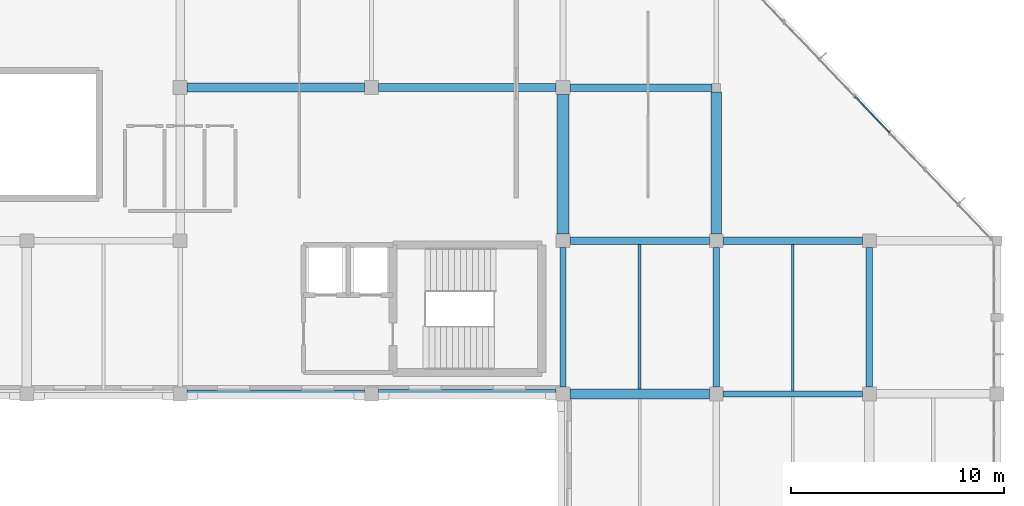
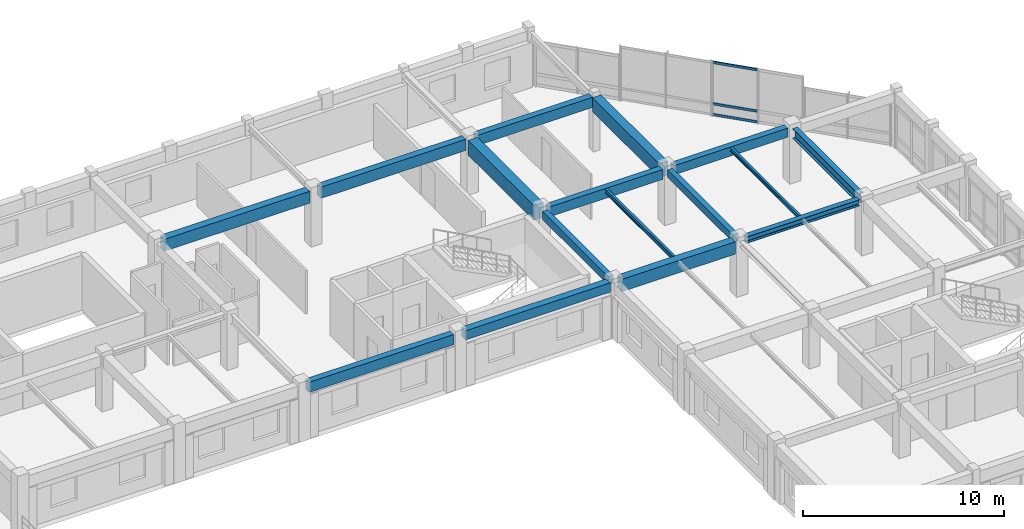
# One storey, part 4 of 18: 16 beams, 3 members, 1 element without a shape of its own.
"""IFC4 building model written with IfcOpenShell, lengths in metres."""

from ifc_helpers import new_model, si_unit, direction, frame, origin, origin_2d, place, context, subcontext, project, spatial, rectangle, i_section, extrude, material, material_profile, profile_set, type_object, element, aggregate, save


model = new_model("IFC4")

# Units and contexts
model_context = context("Model", 3, precision=1e-05, world=origin(), true_north=direction((0.0, 1.0)))
body_context = subcontext(model_context, "Body", "Model", "MODEL_VIEW")
ifc_project = project(units=[si_unit("LENGTHUNIT", "METRE"), si_unit("AREAUNIT", "SQUARE_METRE"), si_unit("VOLUMEUNIT", "CUBIC_METRE"), si_unit("PLANEANGLEUNIT", "RADIAN"), si_unit("MASSUNIT", "GRAM", prefix="KILO")], contexts=[model_context])

# Site, building, storey
site_placement = place(None, origin())
site = spatial("IfcSite", under=ifc_project, at=site_placement, CompositionType="ELEMENT")
building_placement = place(site_placement, origin())
building = spatial("IfcBuilding", under=site, at=building_placement, Name="Clarverna Civic Hall", CompositionType="ELEMENT")
storey_placement = place(building_placement, frame((0.0, 0.0, 20.39990234375)))
storey = spatial("IfcBuildingStorey", under=building, at=storey_placement, Name="L05", CompositionType="ELEMENT", Elevation=20.39990234375)

# Beams
ifc_material_1 = material(Name="Concrete C35/45", Category="concrete")
ifc_material_profile_1 = material_profile(ifc_material_1, rectangle(XDim=0.5, YDim=0.85009765625, at=origin_2d()), Name="RC 500x850")
ifc_profile_set_1 = profile_set([ifc_material_profile_1], Name="Concrete C35/45")
beam_type_1 = type_object("IfcBeamType", Name="B-RC1", PredefinedType="BEAM", material=ifc_profile_set_1)
beam_1_placement = place(storey_placement, frame((154.800048828125, 102.52490234375, 2.9150390625), z_axis=(0.0, 1.0, 0.0), x_axis=(-1.0, 0.0, 0.0)))
element("IfcBeam", 1, at=beam_1_placement, inside=storey, type_object=beam_type_1, Name="B-RC1-027", PredefinedType="BEAM", context=body_context, shape_type="SweptSolid", body=[
    extrude(rectangle(XDim=0.5, YDim=0.85009765625, at=origin_2d()), origin(), (0.0, 0.0, 1.0), 6.675048828125),
])
ifc_material_profile_2 = material_profile(ifc_material_1, rectangle(XDim=0.300048828125, YDim=0.5, at=origin_2d()), Name="RC 300x500")
ifc_profile_set_2 = profile_set([ifc_material_profile_2], Name="Concrete C35/45")
beam_type_2 = type_object("IfcBeamType", Name="B-RC12", PredefinedType="BEAM", material=ifc_profile_set_2)
beam_2_placement = place(storey_placement, frame((147.60009765625, 95.324951171875, 3.090087890625), z_axis=(0.0, 1.0, 0.0), x_axis=(-1.0, 0.0, 0.0)))
element("IfcBeam", 2, at=beam_2_placement, inside=storey, type_object=beam_type_2, Name="B-RC12-052", PredefinedType="BEAM", context=body_context, shape_type="SweptSolid", body=[
    extrude(rectangle(XDim=0.300048828125, YDim=0.5, at=origin_2d()), origin(), (0.0, 0.0, 1.0), 6.550048828125),
])
ifc_material_profile_3 = material_profile(ifc_material_1, rectangle(XDim=0.550048828125, YDim=0.89990234375, at=origin_2d()), Name="RC 550x900")
ifc_profile_set_3 = profile_set([ifc_material_profile_3], Name="Concrete C35/45")
beam_type_3 = type_object("IfcBeamType", Name="B-RC13", PredefinedType="BEAM", material=ifc_profile_set_3)
beam_3_placement = place(storey_placement, frame((147.60009765625, 102.52490234375, 2.89013671875), z_axis=(0.0, 1.0, 0.0), x_axis=(-1.0, 0.0, 0.0)))
element("IfcBeam", 3, at=beam_3_placement, inside=storey, type_object=beam_type_3, Name="B-RC13-034", PredefinedType="BEAM", context=body_context, shape_type="SweptSolid", body=[
    extrude(rectangle(XDim=0.550048828125, YDim=0.89990234375, at=origin_2d()), origin(), (0.0, 0.0, 1.0), 6.550048828125),
])
ifc_material_profile_4 = material_profile(ifc_material_1, rectangle(XDim=0.300048828125, YDim=0.449951171875, at=origin_2d()), Name="RC 300x450")
ifc_profile_set_4 = profile_set([ifc_material_profile_4], Name="Concrete C35/45")
beam_type_4 = type_object("IfcBeamType", Name="B-RC18", PredefinedType="BEAM", material=ifc_profile_set_4)
beam_4_placement = place(storey_placement, frame((154.800048828125, 95.324951171875, 3.114990234375), z_axis=(0.0, 1.0, 0.0), x_axis=(-1.0, 0.0, 0.0)))
element("IfcBeam", 4, at=beam_4_placement, inside=storey, type_object=beam_type_4, Name="B-RC18-044", PredefinedType="BEAM", context=body_context, shape_type="SweptSolid", body=[
    extrude(rectangle(XDim=0.300048828125, YDim=0.449951171875, at=origin_2d()), origin(), (0.0, 0.0, 1.0), 6.550048828125),
])
ifc_material_profile_5 = material_profile(ifc_material_1, rectangle(XDim=0.449951171875, YDim=0.75, at=origin_2d()), Name="RC 450x750")
ifc_profile_set_5 = profile_set([ifc_material_profile_5], Name="Concrete C35/45")
beam_type_5 = type_object("IfcBeamType", Name="B-RC3", PredefinedType="BEAM", material=ifc_profile_set_5)
beam_5_placement = place(storey_placement, frame((147.925048828125, 95.0, 2.965087890625), z_axis=(1.0, 0.0, 0.0), x_axis=(0.0, 1.0, 0.0)))
element("IfcBeam", 5, at=beam_5_placement, inside=storey, type_object=beam_type_5, Name="B-RC3-039", PredefinedType="BEAM", context=body_context, shape_type="SweptSolid", body=[
    extrude(rectangle(XDim=0.449951171875, YDim=0.75, at=origin_2d()), origin(), (0.0, 0.0, 1.0), 6.550048828125),
])
ifc_material_profile_6 = material_profile(ifc_material_1, rectangle(XDim=0.35009765625, YDim=0.60009765625, at=origin_2d()), Name="RC 350x600")
ifc_profile_set_6 = profile_set([ifc_material_profile_6], Name="Concrete C35/45")
beam_type_6 = type_object("IfcBeamType", Name="B-RC8", PredefinedType="BEAM", material=ifc_profile_set_6)
beam_6_placement = place(storey_placement, frame((147.925048828125, 102.199951171875, 3.0400390625), z_axis=(1.0, 0.0, 0.0), x_axis=(0.0, 1.0, 0.0)))
element("IfcBeam", 6, at=beam_6_placement, inside=storey, type_object=beam_type_6, Name="B-RC8-029", PredefinedType="BEAM", context=body_context, shape_type="SweptSolid", body=[
    extrude(rectangle(XDim=0.35009765625, YDim=0.60009765625, at=origin_2d()), origin(), (0.0, 0.0, 1.0), 6.550048828125),
])
ifc_material_profile_7 = material_profile(ifc_material_1, rectangle(XDim=0.35009765625, YDim=0.550048828125, at=origin_2d()), Name="RC 350x550")
ifc_profile_set_7 = profile_set([ifc_material_profile_7], Name="Concrete C35/45")
beam_type_7 = type_object("IfcBeamType", Name="B-RC9", PredefinedType="BEAM", material=ifc_profile_set_7)
beam_7_placement = place(storey_placement, frame((155.125, 102.199951171875, 3.065185546875), z_axis=(1.0, 0.0, 0.0), x_axis=(0.0, 1.0, 0.0)))
element("IfcBeam", 7, at=beam_7_placement, inside=storey, type_object=beam_type_7, Name="B-RC9-046", PredefinedType="BEAM", context=body_context, shape_type="SweptSolid", body=[
    extrude(rectangle(XDim=0.35009765625, YDim=0.550048828125, at=origin_2d()), origin(), (0.0, 0.0, 1.0), 6.550048828125),
])
ifc_material_profile_8 = material_profile(ifc_material_1, rectangle(XDim=0.419921875, YDim=0.719970703125, at=origin_2d()), Name="RC 420x720")
ifc_profile_set_8 = profile_set([ifc_material_profile_8], Name="Concrete C35/45")
beam_type_8 = type_object("IfcBeamType", Name="B-SP1", PredefinedType="SPANDREL", material=ifc_profile_set_8)
beam_8_placement = place(storey_placement, frame((129.925048828125, 109.39990234375, 2.97998046875), z_axis=(1.0, 0.0, 0.0), x_axis=(0.0, 1.0, 0.0)))
element("IfcBeam", 8, at=beam_8_placement, inside=storey, type_object=beam_type_8, Name="B-SP1-145", PredefinedType="SPANDREL", context=body_context, shape_type="SweptSolid", body=[
    extrude(rectangle(XDim=0.419921875, YDim=0.719970703125, at=origin_2d()), origin(), (0.0, 0.0, 1.0), 8.349853515625),
])
ifc_material_profile_9 = material_profile(ifc_material_1, rectangle(XDim=0.3798828125, YDim=0.679931640625, at=origin_2d()), Name="RC 380x680")
ifc_profile_set_9 = profile_set([ifc_material_profile_9], Name="Concrete C35/45")
beam_type_9 = type_object("IfcBeamType", Name="B-SP2", PredefinedType="SPANDREL", material=ifc_profile_set_9)
beam_9_placement = place(storey_placement, frame((138.925048828125, 109.39990234375, 3.0), z_axis=(1.0, 0.0, 0.0), x_axis=(0.0, 1.0, 0.0)))
element("IfcBeam", 9, at=beam_9_placement, inside=storey, type_object=beam_type_9, Name="B-SP2-152", PredefinedType="SPANDREL", context=body_context, shape_type="SweptSolid", body=[
    extrude(rectangle(XDim=0.3798828125, YDim=0.679931640625, at=origin_2d()), origin(), (0.0, 0.0, 1.0), 8.349853515625),
])
ifc_material_profile_10 = material_profile(ifc_material_1, rectangle(XDim=0.360107421875, YDim=0.6201171875, at=origin_2d()), Name="RC 360x620")
ifc_profile_set_10 = profile_set([ifc_material_profile_10], Name="Concrete C35/45")
beam_type_10 = type_object("IfcBeamType", Name="B-SP3", PredefinedType="SPANDREL", material=ifc_profile_set_10)
beam_10_placement = place(storey_placement, frame((129.925048828125, 95.0, 3.030029296875), z_axis=(1.0, 0.0, 0.0), x_axis=(0.0, 1.0, 0.0)))
element("IfcBeam", 10, at=beam_10_placement, inside=storey, type_object=beam_type_10, Name="B-SP3-149", PredefinedType="SPANDREL", context=body_context, shape_type="SweptSolid", body=[
    extrude(rectangle(XDim=0.360107421875, YDim=0.6201171875, at=origin_2d()), origin(), (0.0, 0.0, 1.0), 8.349853515625),
])
beam_11_placement = place(storey_placement, frame((147.925048828125, 109.39990234375, 3.030029296875), z_axis=(1.0, 0.0, 0.0), x_axis=(0.0, 1.0, 0.0)))
element("IfcBeam", 11, at=beam_11_placement, inside=storey, type_object=beam_type_10, Name="B-SP3-150", PredefinedType="SPANDREL", context=body_context, shape_type="SweptSolid", body=[
    extrude(rectangle(XDim=0.360107421875, YDim=0.6201171875, at=origin_2d()), origin(), (0.0, 0.0, 1.0), 6.675048828125),
])
ifc_material_profile_11 = material_profile(ifc_material_1, rectangle(XDim=0.39990234375, YDim=0.56005859375, at=origin_2d()), Name="RC 400x560")
ifc_profile_set_11 = profile_set([ifc_material_profile_11], Name="Concrete C35/45")
beam_type_11 = type_object("IfcBeamType", Name="B-SP4", PredefinedType="SPANDREL", material=ifc_profile_set_11)
beam_12_placement = place(storey_placement, frame((138.925048828125, 95.0, 3.06005859375), z_axis=(1.0, 0.0, 0.0), x_axis=(0.0, 1.0, 0.0)))
element("IfcBeam", 12, at=beam_12_placement, inside=storey, type_object=beam_type_11, Name="B-SP4-149", PredefinedType="SPANDREL", context=body_context, shape_type="SweptSolid", body=[
    extrude(rectangle(XDim=0.39990234375, YDim=0.56005859375, at=origin_2d()), origin(), (0.0, 0.0, 1.0), 8.349853515625),
])
ifc_material_2 = material(Name="Steel S355", Category="steel")
ifc_material_profile_12 = material_profile(ifc_material_2, i_section(OverallWidth=0.300048828125, OverallDepth=0.60009765625, WebThickness=0.015380859375, FlangeThickness=0.030029296875, FilletRadius=0.027099609375, at=origin_2d()), Name="HEB 600")
ifc_profile_set_12 = profile_set([ifc_material_profile_12], Name="Steel S355")
beam_type_12 = type_object("IfcBeamType", Name="B-ST1", PredefinedType="BEAM", material=ifc_profile_set_12)
beam_13_placement = place(storey_placement, frame((162.0, 95.324951171875, 3.0400390625), z_axis=(0.0, 1.0, 0.0), x_axis=(-1.0, 0.0, 0.0)))
element("IfcBeam", 13, at=beam_13_placement, inside=storey, type_object=beam_type_12, Name="B-ST1-022", PredefinedType="BEAM", context=body_context, shape_type="SweptSolid", body=[
    extrude(i_section(OverallWidth=0.300048828125, OverallDepth=0.60009765625, WebThickness=0.015380859375, FlangeThickness=0.030029296875, FilletRadius=0.027099609375, at=origin_2d()), origin(), (0.0, 0.0, 1.0), 6.550048828125),
])
ifc_material_profile_13 = material_profile(ifc_material_2, i_section(OverallWidth=0.300048828125, OverallDepth=0.389892578125, WebThickness=0.010986328125, FlangeThickness=0.01904296875, FilletRadius=0.027099609375, at=origin_2d()), Name="HEA 400")
ifc_profile_set_13 = profile_set([ifc_material_profile_13], Name="Steel S355")
beam_type_13 = type_object("IfcBeamType", Name="B-ST6", PredefinedType="BEAM", material=ifc_profile_set_13)
beam_14_placement = place(storey_placement, frame((155.125, 95.0, 3.14501953125), z_axis=(1.0, 0.0, 0.0), x_axis=(0.0, 1.0, 0.0)))
element("IfcBeam", 14, at=beam_14_placement, inside=storey, type_object=beam_type_13, Name="B-ST6-020", PredefinedType="BEAM", context=body_context, shape_type="SweptSolid", body=[
    extrude(i_section(OverallWidth=0.300048828125, OverallDepth=0.389892578125, WebThickness=0.010986328125, FlangeThickness=0.01904296875, FilletRadius=0.027099609375, at=origin_2d()), origin(), (0.0, 0.0, 1.0), 6.550048828125),
])

# Curtain wall, members
ifc_material_3 = material(Name="Anodised Bronze Architectural Aluminium", Category="aluminium")
curtain_wall_type = type_object("IfcCurtainWallType", Name="CW-01", PredefinedType="USERDEFINED", material=ifc_material_3)
curtain_wall_placement = place(storey_placement, origin())
curtain_wall = element("IfcCurtainWall", 15, at=curtain_wall_placement, inside=storey, type_object=curtain_wall_type, Name="CW-01-103", ObjectType="UNITISED CURTAIN WALL", PredefinedType="USERDEFINED")
ifc_material_profile_14 = material_profile(ifc_material_3, rectangle(XDim=0.06005859375, YDim=0.14990234375, at=origin_2d()), Name="BRONZE 60x150")
ifc_profile_set_14 = profile_set([ifc_material_profile_14], Name="Anodised Bronze Architectural Aluminium")
member_type = type_object("IfcMemberType", Name="CWT-01", PredefinedType="USERDEFINED", material=ifc_profile_set_14)
member_1_placement = place(storey_placement, frame((161.33203125, 108.968505859375, 0.09521484375), z_axis=(0.691227416228, -0.72263729426, 0.0), x_axis=(0.72263729426, 0.691227416228, 0.0)))
member_1 = element("IfcMember", 16, at=member_1_placement, type_object=member_type, Name="CWT-01-424", ObjectType="TRANSOM", PredefinedType="USERDEFINED", context=body_context, shape_type="SweptSolid", body=[
    extrude(rectangle(XDim=0.06005859375, YDim=0.14990234375, at=origin_2d()), origin(), (0.0, 0.0, 1.0), 2.323974609375),
])
member_2_placement = place(storey_placement, frame((161.33203125, 108.968505859375, 0.75), z_axis=(0.691227416228, -0.72263729426, 0.0), x_axis=(0.72263729426, 0.691227416228, 0.0)))
member_2 = element("IfcMember", 17, at=member_2_placement, type_object=member_type, Name="CWT-01-425", ObjectType="TRANSOM", PredefinedType="USERDEFINED", context=body_context, shape_type="SweptSolid", body=[
    extrude(rectangle(XDim=0.06005859375, YDim=0.14990234375, at=origin_2d()), origin(), (0.0, 0.0, 1.0), 2.323974609375),
])
member_3_placement = place(storey_placement, frame((161.33203125, 108.968505859375, 3.26513671875), z_axis=(0.691227416228, -0.72263729426, 0.0), x_axis=(0.72263729426, 0.691227416228, 0.0)))
member_3 = element("IfcMember", 18, at=member_3_placement, type_object=member_type, Name="CWT-01-426", ObjectType="TRANSOM", PredefinedType="USERDEFINED", context=body_context, shape_type="SweptSolid", body=[
    extrude(rectangle(XDim=0.06005859375, YDim=0.14990234375, at=origin_2d()), origin(), (0.0, 0.0, 1.0), 2.323974609375),
])
aggregate(curtain_wall, [member_1, member_2, member_3])

# Beams
ifc_material_profile_15 = material_profile(ifc_material_2, i_section(OverallWidth=0.135009765625, OverallDepth=0.27001953125, WebThickness=0.006591796875, FlangeThickness=0.01025390625, FilletRadius=0.014892578125, at=origin_2d()), Name="IPE 270")
ifc_profile_set_15 = profile_set([ifc_material_profile_15], Name="Steel S355")
beam_type_14 = type_object("IfcBeamType", Name="J-ST4", PredefinedType="JOIST", material=ifc_profile_set_15)
beam_15_placement = place(storey_placement, frame((151.199951171875, 95.22509765625, 3.205078125), z_axis=(0.0, 1.0, 0.0), x_axis=(-1.0, 0.0, 0.0)))
element("IfcBeam", 19, at=beam_15_placement, inside=storey, type_object=beam_type_14, Name="J-ST4-075", PredefinedType="JOIST", context=body_context, shape_type="SweptSolid", body=[
    extrude(i_section(OverallWidth=0.135009765625, OverallDepth=0.27001953125, WebThickness=0.006591796875, FlangeThickness=0.01025390625, FilletRadius=0.014892578125, at=origin_2d()), origin(), (0.0, 0.0, 1.0), 6.7998046875),
])
ifc_material_profile_16 = material_profile(ifc_material_2, i_section(OverallWidth=0.1201171875, OverallDepth=0.239990234375, WebThickness=0.006103515625, FlangeThickness=0.009765625, FilletRadius=0.014892578125, at=origin_2d()), Name="IPE 240")
ifc_profile_set_16 = profile_set([ifc_material_profile_16], Name="Steel S355")
beam_type_15 = type_object("IfcBeamType", Name="J-ST5", PredefinedType="JOIST", material=ifc_profile_set_16)
beam_16_placement = place(storey_placement, frame((158.39990234375, 95.14990234375, 3.22021484375), z_axis=(0.0, 1.0, 0.0), x_axis=(-1.0, 0.0, 0.0)))
element("IfcBeam", 20, at=beam_16_placement, inside=storey, type_object=beam_type_15, Name="J-ST5-072", PredefinedType="JOIST", context=body_context, shape_type="SweptSolid", body=[
    extrude(i_section(OverallWidth=0.1201171875, OverallDepth=0.239990234375, WebThickness=0.006103515625, FlangeThickness=0.009765625, FilletRadius=0.014892578125, at=origin_2d()), origin(), (0.0, 0.0, 1.0), 6.875),
])

save(model, "model.ifc")
